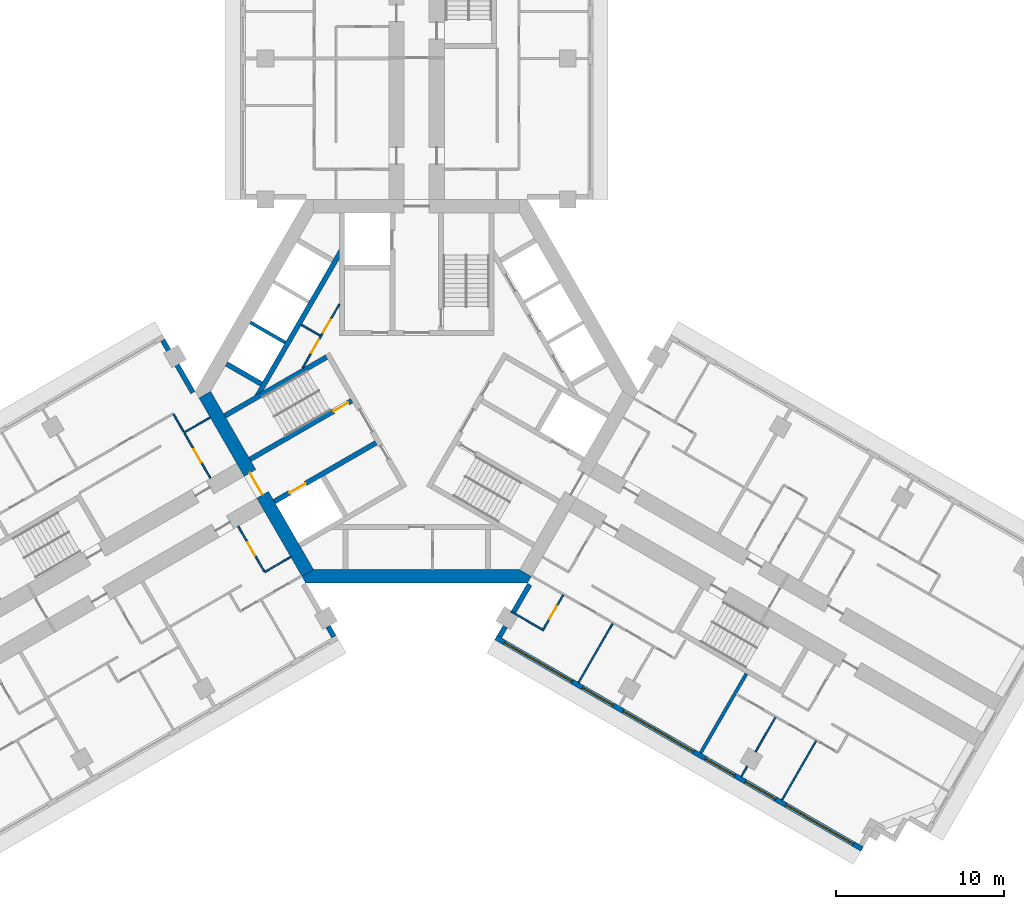
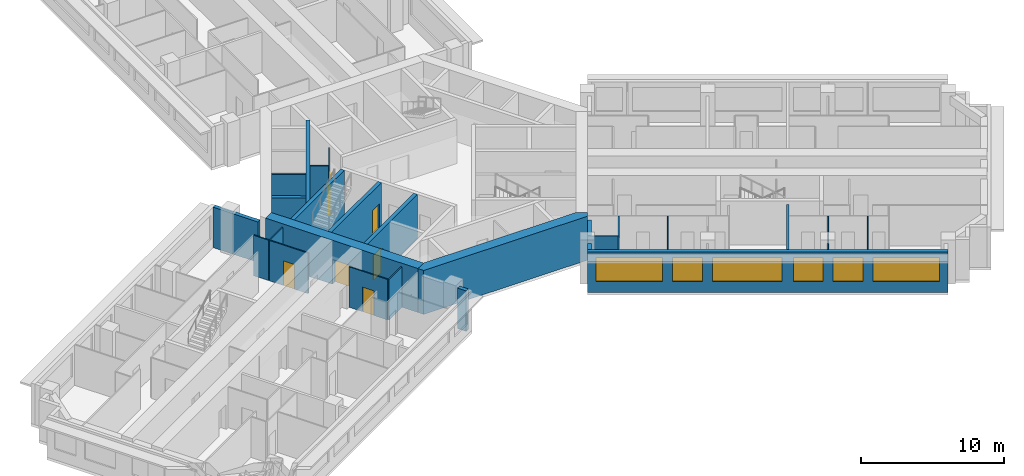
# One storey, part 4 of 12: 27 walls, 8 doors, 6 windows, 14 openings.
"""IFC4 building model written with IfcOpenShell, lengths in metres."""

from ifc_helpers import new_model, si_unit, direction, frame, frame_2d, origin, place, context, subcontext, project, spatial, polyline, rectangle, outline, extrude, material, layer, layer_set, type_object, element, fill, save


model = new_model("IFC4")

# Units and contexts
model_context = context("Model", 3, precision=1e-05, world=origin(), true_north=direction((0.0, 1.0)))
body_context = subcontext(model_context, "Body", "Model", "MODEL_VIEW")
ifc_project = project(units=[si_unit("LENGTHUNIT", "METRE"), si_unit("AREAUNIT", "SQUARE_METRE"), si_unit("VOLUMEUNIT", "CUBIC_METRE"), si_unit("PLANEANGLEUNIT", "RADIAN"), si_unit("MASSUNIT", "GRAM", prefix="KILO")], contexts=[model_context])

# Site, building, storey
site_placement = place(None, origin())
site = spatial("IfcSite", under=ifc_project, at=site_placement, CompositionType="ELEMENT")
building_placement = place(site_placement, origin())
building = spatial("IfcBuilding", under=site, at=building_placement, Name="Impinga Residences", CompositionType="ELEMENT")
storey_placement = place(building_placement, frame((0.0, 0.0, 177.25)))
storey = spatial("IfcBuildingStorey", under=building, at=storey_placement, Name="L44", CompositionType="ELEMENT", Elevation=177.25)

# Wall, openings, doors
ifc_material_1 = material(Name="Concrete blockwork", Category="masonry")
ifc_layer_1 = layer(ifc_material_1, 0.10009765625)
ifc_layer_set_1 = layer_set([ifc_layer_1], Name="CP1 core room partition, blockwork 100")
wall_type_1 = type_object("IfcWallType", Name="CP1 core room partition, blockwork 100", PredefinedType="PARTITIONING", material=ifc_layer_set_1)
wall_1_placement = place(storey_placement, frame((-6.799560546875, 1.385986328125, 0.0), z_axis=(0.0, 0.0, 1.0), x_axis=(0.500001098885, 0.866024769342, 0.0)))
wall_1 = element("IfcWall", 1, at=wall_1_placement, inside=storey, type_object=wall_type_1, Name="Core room partition, blockwork L44:CORE:high:FP", PredefinedType="PARTITIONING", context=body_context, shape_type="SweptSolid", body=[
    extrude(rectangle(XDim=4.39892578125, YDim=0.10009765625, at=frame_2d((2.199462890625, 0.0))), origin(), (0.0, 0.0, 1.0), 3.449951171875),
])
opening_1_placement = place(wall_1_placement, frame((1.049560546875, 0.0, 0.0)))
opening_1 = element("IfcOpeningElement", 2, at=opening_1_placement, cuts=wall_1, Name="Opening D6", PredefinedType="OPENING", context=body_context, shape_type="SweptSolid", body=[
    extrude(rectangle(XDim=0.89990234375, YDim=2.10009765625, at=frame_2d((0.449951171875, 1.050048828125))), frame((0.0, 0.06005859375, 0.0), z_axis=(0.0, -1.0, 0.0), x_axis=(1.0, 0.0, 0.0)), (0.0, 0.0, 1.0), 0.1201171875),
])
opening_2_placement = place(wall_1_placement, frame((2.449462890625, 0.0, 0.0)))
opening_2 = element("IfcOpeningElement", 3, at=opening_2_placement, cuts=wall_1, Name="Opening D6", PredefinedType="OPENING", context=body_context, shape_type="SweptSolid", body=[
    extrude(rectangle(XDim=0.89990234375, YDim=2.10009765625, at=frame_2d((0.449951171875, 1.050048828125))), frame((0.0, 0.06005859375, 0.0), z_axis=(0.0, -1.0, 0.0), x_axis=(1.0, 0.0, 0.0)), (0.0, 0.0, 1.0), 0.1201171875),
])
ifc_material_2 = material(Name="Timber door set", Category="wood")
door_type_1 = type_object("IfcDoorType", Name="D6 riser and store door 900x2100", OperationType="SINGLE_SWING_LEFT", PredefinedType="DOOR", material=ifc_material_2)
door_1_placement = place(opening_1_placement, origin())
door_1 = element("IfcDoor", 4, at=door_1_placement, inside=storey, type_object=door_type_1, Name="Cleaners' store door", OperationType="SINGLE_SWING_LEFT", OverallHeight=2.10009765625, OverallWidth=0.89990234375, PredefinedType="DOOR", context=body_context, shape_type="SweptSolid", body=[
    extrude(rectangle(XDim=0.89990234375, YDim=2.10009765625, at=frame_2d((0.449951171875, 1.050048828125))), frame((0.0, 0.02490234375, 0.0), z_axis=(0.0, -1.0, 0.0), x_axis=(1.0, 0.0, 0.0)), (0.0, 0.0, 1.0), 0.050048828125),
])
fill(opening_1, door_1)
door_2_placement = place(opening_2_placement, origin())
door_2 = element("IfcDoor", 5, at=door_2_placement, inside=storey, type_object=door_type_1, Name="Refuse room door", OperationType="SINGLE_SWING_RIGHT", OverallHeight=2.10009765625, OverallWidth=0.89990234375, PredefinedType="DOOR", context=body_context, shape_type="SweptSolid", body=[
    extrude(rectangle(XDim=0.89990234375, YDim=2.10009765625, at=frame_2d((0.449951171875, 1.050048828125))), frame((0.0, 0.02490234375, 0.0), z_axis=(0.0, -1.0, 0.0), x_axis=(1.0, 0.0, 0.0)), (0.0, 0.0, 1.0), 0.050048828125),
])
fill(opening_2, door_2)

# Walls
wall_2_placement = place(storey_placement, frame((-5.7431640625, 3.315673828125, 0.0), z_axis=(0.0, 0.0, 1.0), x_axis=(-0.86595725628, 0.500118016368, 0.0)))
element("IfcWall", 6, at=wall_2_placement, inside=storey, type_object=wall_type_1, Name="Core room partition, blockwork L44:CORE:high:FS", PredefinedType="PARTITIONING", context=body_context, shape_type="SweptSolid", body=[
    extrude(rectangle(XDim=1.300048828125, YDim=0.10009765625, at=frame_2d((0.64990234375, 0.0))), origin(), (0.0, 0.0, 1.0), 3.449951171875),
])
ifc_material_3 = material(Name="Terracotta rainscreen on blockwork", Category="masonry")
ifc_layer_2 = layer(ifc_material_3, 0.300048828125)
ifc_layer_set_2 = layer_set([ifc_layer_2], Name="EW1 external wall, terracotta rainscreen on blockwork 300")
wall_type_2 = type_object("IfcWallType", Name="EW1 external wall, terracotta rainscreen on blockwork 300", PredefinedType="SOLIDWALL", material=ifc_layer_set_2)
wall_3_placement = place(storey_placement, frame((-15.1298828125, 3.042724609375, 0.0), z_axis=(0.0, 0.0, 1.0), x_axis=(0.500012057535, -0.866018442252, 0.0)))
element("IfcWall", 7, at=wall_3_placement, inside=storey, type_object=wall_type_2, Name="External wall EW1 L44", PredefinedType="SOLIDWALL", context=body_context, shape_type="SweptSolid", body=[
    extrude(rectangle(XDim=3.60009765625, YDim=0.300048828125, at=frame_2d((1.800048828125, 0.0))), origin(), (0.0, 0.0, 1.0), 3.449951171875),
])

# Wall, openings, windows
wall_4_placement = place(storey_placement, frame((26.548828125, -27.279052734375, 0.0), z_axis=(0.0, 0.0, 1.0), x_axis=(-0.866026832479, 0.499997525421, 0.0)))
wall_4 = element("IfcWall", 8, at=wall_4_placement, inside=storey, type_object=wall_type_2, Name="External wall EW1 L44", PredefinedType="SOLIDWALL", context=body_context, shape_type="SweptSolid", body=[
    extrude(rectangle(XDim=25.199951171875, YDim=0.300048828125, at=frame_2d((12.60009765625, 0.0))), origin(), (0.0, 0.0, 1.0), 3.449951171875),
])
opening_3_placement = place(wall_4_placement, frame((0.60009765625, 0.0, 0.89990234375)))
opening_3 = element("IfcOpeningElement", 9, at=opening_3_placement, cuts=wall_4, Name="Opening W10", PredefinedType="OPENING", context=body_context, shape_type="SweptSolid", body=[
    extrude(rectangle(XDim=4.64990234375, YDim=2.050048828125, at=frame_2d((2.324951171875, 1.02490234375))), frame((0.0, 0.159912109375, 0.0), z_axis=(0.0, -1.0, 0.0), x_axis=(1.0, 0.0, 0.0)), (0.0, 0.0, 1.0), 0.320068359375),
])
opening_4_placement = place(wall_4_placement, frame((5.949951171875, 0.0, 0.89990234375)))
opening_4 = element("IfcOpeningElement", 10, at=opening_4_placement, cuts=wall_4, Name="Opening W9", PredefinedType="OPENING", context=body_context, shape_type="SweptSolid", body=[
    extrude(rectangle(XDim=2.10009765625, YDim=2.050048828125, at=frame_2d((1.050048828125, 1.02490234375))), frame((0.0, 0.159912109375, 0.0), z_axis=(0.0, -1.0, 0.0), x_axis=(1.0, 0.0, 0.0)), (0.0, 0.0, 1.0), 0.320068359375),
])
opening_5_placement = place(wall_4_placement, frame((8.75, 0.0, 0.89990234375)))
opening_5 = element("IfcOpeningElement", 11, at=opening_5_placement, cuts=wall_4, Name="Opening W14", PredefinedType="OPENING", context=body_context, shape_type="SweptSolid", body=[
    extrude(rectangle(XDim=2.050048828125, YDim=2.050048828125, at=frame_2d((1.02490234375, 1.02490234375))), frame((0.0, 0.159912109375, 0.0), z_axis=(0.0, -1.0, 0.0), x_axis=(1.0, 0.0, 0.0)), (0.0, 0.0, 1.0), 0.320068359375),
])
opening_6_placement = place(wall_4_placement, frame((11.60009765625, 0.0, 0.89990234375)))
opening_6 = element("IfcOpeningElement", 12, at=opening_6_placement, cuts=wall_4, Name="Opening W6", PredefinedType="OPENING", context=body_context, shape_type="SweptSolid", body=[
    extrude(rectangle(XDim=4.85009765625, YDim=2.050048828125, at=frame_2d((2.425048828125, 1.02490234375))), frame((0.0, 0.159912109375, 0.0), z_axis=(0.0, -1.0, 0.0), x_axis=(1.0, 0.0, 0.0)), (0.0, 0.0, 1.0), 0.320068359375),
])
opening_7_placement = place(wall_4_placement, frame((17.14990234375, 0.0, 0.89990234375)))
opening_7 = element("IfcOpeningElement", 13, at=opening_7_placement, cuts=wall_4, Name="Opening W9", PredefinedType="OPENING", context=body_context, shape_type="SweptSolid", body=[
    extrude(rectangle(XDim=2.10009765625, YDim=2.050048828125, at=frame_2d((1.050048828125, 1.02490234375))), frame((0.0, 0.159912109375, 0.0), z_axis=(0.0, -1.0, 0.0), x_axis=(1.0, 0.0, 0.0)), (0.0, 0.0, 1.0), 0.320068359375),
])
opening_8_placement = place(wall_4_placement, frame((19.949951171875, 0.0, 0.89990234375)))
opening_8 = element("IfcOpeningElement", 14, at=opening_8_placement, cuts=wall_4, Name="Opening W10", PredefinedType="OPENING", context=body_context, shape_type="SweptSolid", body=[
    extrude(rectangle(XDim=4.64990234375, YDim=2.050048828125, at=frame_2d((2.324951171875, 1.02490234375))), frame((0.0, 0.159912109375, 0.0), z_axis=(0.0, -1.0, 0.0), x_axis=(1.0, 0.0, 0.0)), (0.0, 0.0, 1.0), 0.320068359375),
])
ifc_material_4 = material(Name="Aluminium window, clear double glazing", Category="aluminium")
window_type_1 = type_object("IfcWindowType", Name="W10 ribbon window 4650x2050", PartitioningType="SINGLE_PANEL", PredefinedType="WINDOW", material=ifc_material_4)
window_1_placement = place(opening_3_placement, origin())
window_1 = element("IfcWindow", 15, at=window_1_placement, inside=storey, type_object=window_type_1, Name="Window L44", OverallHeight=2.050048828125, OverallWidth=4.64990234375, PartitioningType="SINGLE_PANEL", PredefinedType="WINDOW", context=body_context, shape_type="SweptSolid", body=[
    extrude(rectangle(XDim=4.64990234375, YDim=2.050048828125, at=frame_2d((2.324951171875, 1.02490234375))), frame((0.0, 0.030029296875, 0.0), z_axis=(0.0, -1.0, 0.0), x_axis=(1.0, 0.0, 0.0)), (0.0, 0.0, 1.0), 0.06005859375),
])
fill(opening_3, window_1)
window_2_placement = place(opening_8_placement, origin())
window_2 = element("IfcWindow", 16, at=window_2_placement, inside=storey, type_object=window_type_1, Name="Window L44", OverallHeight=2.050048828125, OverallWidth=4.64990234375, PartitioningType="SINGLE_PANEL", PredefinedType="WINDOW", context=body_context, shape_type="SweptSolid", body=[
    extrude(rectangle(XDim=4.64990234375, YDim=2.050048828125, at=frame_2d((2.324951171875, 1.02490234375))), frame((0.0, 0.030029296875, 0.0), z_axis=(0.0, -1.0, 0.0), x_axis=(1.0, 0.0, 0.0)), (0.0, 0.0, 1.0), 0.06005859375),
])
fill(opening_8, window_2)
window_type_2 = type_object("IfcWindowType", Name="W14 ribbon window 2050x2050", PartitioningType="SINGLE_PANEL", PredefinedType="WINDOW", material=ifc_material_4)
window_3_placement = place(opening_5_placement, origin())
window_3 = element("IfcWindow", 17, at=window_3_placement, inside=storey, type_object=window_type_2, Name="Window L44", OverallHeight=2.050048828125, OverallWidth=2.050048828125, PartitioningType="SINGLE_PANEL", PredefinedType="WINDOW", context=body_context, shape_type="SweptSolid", body=[
    extrude(rectangle(XDim=2.050048828125, YDim=2.050048828125, at=frame_2d((1.02490234375, 1.02490234375))), frame((0.0, 0.030029296875, 0.0), z_axis=(0.0, -1.0, 0.0), x_axis=(1.0, 0.0, 0.0)), (0.0, 0.0, 1.0), 0.06005859375),
])
fill(opening_5, window_3)
window_type_3 = type_object("IfcWindowType", Name="W6 ribbon window 4850x2050", PartitioningType="SINGLE_PANEL", PredefinedType="WINDOW", material=ifc_material_4)
window_4_placement = place(opening_6_placement, origin())
window_4 = element("IfcWindow", 18, at=window_4_placement, inside=storey, type_object=window_type_3, Name="Window L44", OverallHeight=2.050048828125, OverallWidth=4.85009765625, PartitioningType="SINGLE_PANEL", PredefinedType="WINDOW", context=body_context, shape_type="SweptSolid", body=[
    extrude(rectangle(XDim=4.85009765625, YDim=2.050048828125, at=frame_2d((2.425048828125, 1.02490234375))), frame((0.0, 0.030029296875, 0.0), z_axis=(0.0, -1.0, 0.0), x_axis=(1.0, 0.0, 0.0)), (0.0, 0.0, 1.0), 0.06005859375),
])
fill(opening_6, window_4)
window_type_4 = type_object("IfcWindowType", Name="W9 ribbon window 2100x2050", PartitioningType="SINGLE_PANEL", PredefinedType="WINDOW", material=ifc_material_4)
window_5_placement = place(opening_4_placement, origin())
window_5 = element("IfcWindow", 19, at=window_5_placement, inside=storey, type_object=window_type_4, Name="Window L44", OverallHeight=2.050048828125, OverallWidth=2.10009765625, PartitioningType="SINGLE_PANEL", PredefinedType="WINDOW", context=body_context, shape_type="SweptSolid", body=[
    extrude(rectangle(XDim=2.10009765625, YDim=2.050048828125, at=frame_2d((1.050048828125, 1.02490234375))), frame((0.0, 0.030029296875, 0.0), z_axis=(0.0, -1.0, 0.0), x_axis=(1.0, 0.0, 0.0)), (0.0, 0.0, 1.0), 0.06005859375),
])
fill(opening_4, window_5)
window_6_placement = place(opening_7_placement, origin())
window_6 = element("IfcWindow", 20, at=window_6_placement, inside=storey, type_object=window_type_4, Name="Window L44", OverallHeight=2.050048828125, OverallWidth=2.10009765625, PartitioningType="SINGLE_PANEL", PredefinedType="WINDOW", context=body_context, shape_type="SweptSolid", body=[
    extrude(rectangle(XDim=2.10009765625, YDim=2.050048828125, at=frame_2d((1.050048828125, 1.02490234375))), frame((0.0, 0.030029296875, 0.0), z_axis=(0.0, -1.0, 0.0), x_axis=(1.0, 0.0, 0.0)), (0.0, 0.0, 1.0), 0.06005859375),
])
fill(opening_7, window_6)

# Walls
wall_5_placement = place(storey_placement, frame((4.929931640625, -14.624267578125, 0.0), z_axis=(0.0, 0.0, 1.0), x_axis=(0.499853302173, 0.866110083249, 0.0)))
element("IfcWall", 21, at=wall_5_placement, inside=storey, type_object=wall_type_2, Name="External wall EW1 L44", PredefinedType="SOLIDWALL", context=body_context, shape_type="SweptSolid", body=[
    extrude(rectangle(XDim=0.699951171875, YDim=0.300048828125, at=frame_2d((0.35009765625, 0.0))), origin(), (0.0, 0.0, 1.0), 3.449951171875),
])
wall_6_placement = place(storey_placement, frame((5.77978515625, -13.152099609375, 0.0), z_axis=(0.0, 0.0, 1.0), x_axis=(0.500063520245, 0.865988727248, 0.0)))
element("IfcWall", 22, at=wall_6_placement, inside=storey, type_object=wall_type_2, Name="External wall EW1 L44", PredefinedType="SOLIDWALL", context=body_context, shape_type="SweptSolid", body=[
    extrude(rectangle(XDim=1.900146484375, YDim=0.300048828125, at=frame_2d((0.9501953125, 0.0))), origin(), (0.0, 0.0, 1.0), 3.449951171875),
])
wall_7_placement = place(storey_placement, frame((-5.27978515625, -14.01806640625, 0.0), z_axis=(0.0, 0.0, 1.0), x_axis=(0.499853302173, -0.866110083249, 0.0)))
element("IfcWall", 23, at=wall_7_placement, inside=storey, type_object=wall_type_2, Name="External wall EW1 L44", PredefinedType="SOLIDWALL", context=body_context, shape_type="SweptSolid", body=[
    extrude(rectangle(XDim=0.699951171875, YDim=0.300048828125, at=frame_2d((0.35009765625, 0.0))), origin(), (0.0, 0.0, 1.0), 3.449951171875),
])
ifc_material_5 = material(Name="Gypsum board on steel studs", Category="steel")
ifc_layer_3 = layer(ifc_material_5, 0.10009765625)
ifc_layer_set_3 = layer_set([ifc_layer_3], Name="Gypsum board on steel studs")
wall_type_3 = type_object("IfcWallType", Name="IP1 partition 100", PredefinedType="PARTITIONING", material=ifc_layer_set_3)
wall_8_placement = place(storey_placement, frame((-7.5, -9.872802734375, 0.0), z_axis=(0.0, 0.0, 1.0), x_axis=(-0.866047807691, -0.499961193289, 0.0)))
element("IfcWall", 24, at=wall_8_placement, inside=storey, type_object=wall_type_3, Name="Partition L44-WA1:DIV0", PredefinedType="PARTITIONING", context=body_context, shape_type="SweptSolid", body=[
    extrude(rectangle(XDim=1.800048828125, YDim=0.10009765625, at=frame_2d((0.89990234375, 0.0))), origin(), (0.0, 0.0, 1.0), 3.449951171875),
])

# Wall, opening, door
wall_9_placement = place(storey_placement, frame((-10.6337890625, -8.044677734375, 0.0), z_axis=(0.0, 0.0, 1.0), x_axis=(0.49999285859, -0.86602952684, 0.0)))
wall_9 = element("IfcWall", 25, at=wall_9_placement, inside=storey, type_object=wall_type_3, Name="Partition L44-WA1:IB1", PredefinedType="PARTITIONING", context=body_context, shape_type="SweptSolid", body=[
    extrude(rectangle(XDim=3.10009765625, YDim=0.10009765625, at=frame_2d((1.550048828125, 0.0))), origin(), (0.0, 0.0, 1.0), 3.449951171875),
])
opening_9_placement = place(wall_9_placement, frame((1.10009765625, 0.0, 0.0)))
opening_9 = element("IfcOpeningElement", 26, at=opening_9_placement, cuts=wall_9, Name="Opening D2", PredefinedType="OPENING", context=body_context, shape_type="SweptSolid", body=[
    extrude(rectangle(XDim=0.89990234375, YDim=2.10009765625, at=frame_2d((0.449951171875, 1.050048828125))), frame((0.0, 0.06005859375, 0.0), z_axis=(0.0, -1.0, 0.0), x_axis=(1.0, 0.0, 0.0)), (0.0, 0.0, 1.0), 0.1201171875),
])
door_type_2 = type_object("IfcDoorType", Name="D2 internal door 900x2100", OperationType="SINGLE_SWING_LEFT", PredefinedType="DOOR", material=ifc_material_2)
door_3_placement = place(opening_9_placement, origin())
door_3 = element("IfcDoor", 27, at=door_3_placement, inside=storey, type_object=door_type_2, Name="Apartment L44-WA1 bathroom door", OperationType="SINGLE_SWING_LEFT", OverallHeight=2.10009765625, OverallWidth=0.89990234375, PredefinedType="DOOR", context=body_context, shape_type="SweptSolid", body=[
    extrude(rectangle(XDim=0.89990234375, YDim=2.10009765625, at=frame_2d((0.449951171875, 1.050048828125))), frame((0.0, 0.02490234375, 0.0), z_axis=(0.0, -1.0, 0.0), x_axis=(1.0, 0.0, 0.0)), (0.0, 0.0, 1.0), 0.050048828125),
])
fill(opening_9, door_3)

# Walls
wall_10_placement = place(storey_placement, frame((-12.300048828125, -1.558837890625, 0.0), z_axis=(0.0, 0.0, 1.0), x_axis=(-0.866047807691, -0.499961193289, 0.0)))
element("IfcWall", 28, at=wall_10_placement, inside=storey, type_object=wall_type_3, Name="Partition L44-WF1:DIV0", PredefinedType="PARTITIONING", context=body_context, shape_type="SweptSolid", body=[
    extrude(rectangle(XDim=1.800048828125, YDim=0.10009765625, at=frame_2d((0.89990234375, 0.0))), origin(), (0.0, 0.0, 1.0), 3.449951171875),
])
wall_11_placement = place(storey_placement, frame((-13.8837890625, -2.41552734375, 0.0), z_axis=(0.0, 0.0, 1.0), x_axis=(-0.500033551112, 0.866006032174, 0.0)))
element("IfcWall", 29, at=wall_11_placement, inside=storey, type_object=wall_type_3, Name="Partition L44-WF1:SE0", PredefinedType="PARTITIONING", context=body_context, shape_type="SweptSolid", body=[
    extrude(rectangle(XDim=1.2001953125, YDim=0.10009765625, at=frame_2d((0.60009765625, 0.0))), origin(), (0.0, 0.0, 1.0), 3.449951171875),
])

# Wall, opening, door
wall_12_placement = place(storey_placement, frame((-12.283935546875, -5.186767578125, 0.0), z_axis=(0.0, 0.0, 1.0), x_axis=(-0.499967891604, 0.866043940782, 0.0)))
wall_12 = element("IfcWall", 30, at=wall_12_placement, inside=storey, type_object=wall_type_3, Name="Partition L44-WF1:IB1", PredefinedType="PARTITIONING", context=body_context, shape_type="SweptSolid", body=[
    extrude(rectangle(XDim=3.099853515625, YDim=0.10009765625, at=frame_2d((1.5498046875, 0.0))), origin(), (0.0, 0.0, 1.0), 3.449951171875),
])
opening_10_placement = place(wall_12_placement, frame((1.10009765625, 0.0, 0.0)))
opening_10 = element("IfcOpeningElement", 31, at=opening_10_placement, cuts=wall_12, Name="Opening D2", PredefinedType="OPENING", context=body_context, shape_type="SweptSolid", body=[
    extrude(rectangle(XDim=0.89990234375, YDim=2.10009765625, at=frame_2d((0.449951171875, 1.050048828125))), frame((0.0, 0.06005859375, 0.0), z_axis=(0.0, -1.0, 0.0), x_axis=(1.0, 0.0, 0.0)), (0.0, 0.0, 1.0), 0.1201171875),
])
door_4_placement = place(opening_10_placement, origin())
door_4 = element("IfcDoor", 32, at=door_4_placement, inside=storey, type_object=door_type_2, Name="Apartment L44-WF1 bathroom door", OperationType="SINGLE_SWING_LEFT", OverallHeight=2.10009765625, OverallWidth=0.89990234375, PredefinedType="DOOR", context=body_context, shape_type="SweptSolid", body=[
    extrude(rectangle(XDim=0.89990234375, YDim=2.10009765625, at=frame_2d((0.449951171875, 1.050048828125))), frame((0.0, 0.02490234375, 0.0), z_axis=(0.0, -1.0, 0.0), x_axis=(1.0, 0.0, 0.0)), (0.0, 0.0, 1.0), 0.050048828125),
])
fill(opening_10, door_4)

# Wall
wall_13_placement = place(storey_placement, frame((11.6748046875, -13.841796875, 0.0), z_axis=(0.0, 0.0, 1.0), x_axis=(-0.500035537042, -0.866004885491, 0.0)))
element("IfcWall", 33, at=wall_13_placement, inside=storey, type_object=wall_type_3, Name="Partition L44-EF1:OB1", PredefinedType="PARTITIONING", context=body_context, shape_type="SweptSolid", body=[
    extrude(rectangle(XDim=4.050048828125, YDim=0.10009765625, at=frame_2d((2.02490234375, 0.0))), origin(), (0.0, 0.0, 1.0), 3.449951171875),
])

# Wall, opening, door
wall_14_placement = place(storey_placement, frame((8.730224609375, -12.141845703125, 0.0), z_axis=(0.0, 0.0, 1.0), x_axis=(-0.499943856944, -0.866057815567, 0.0)))
wall_14 = element("IfcWall", 34, at=wall_14_placement, inside=storey, type_object=wall_type_3, Name="Partition L44-EF1:EN1", PredefinedType="PARTITIONING", context=body_context, shape_type="SweptSolid", body=[
    extrude(rectangle(XDim=2.449951171875, YDim=0.10009765625, at=frame_2d((1.22509765625, 0.0))), origin(), (0.0, 0.0, 1.0), 3.449951171875),
])
opening_11_placement = place(wall_14_placement, frame((0.75, 0.0, 0.0)))
opening_11 = element("IfcOpeningElement", 35, at=opening_11_placement, cuts=wall_14, Name="Opening D2", PredefinedType="OPENING", context=body_context, shape_type="SweptSolid", body=[
    extrude(rectangle(XDim=0.89990234375, YDim=2.10009765625, at=frame_2d((0.449951171875, 1.050048828125))), frame((0.0, 0.06005859375, 0.0), z_axis=(0.0, -1.0, 0.0), x_axis=(1.0, 0.0, 0.0)), (0.0, 0.0, 1.0), 0.1201171875),
])
door_5_placement = place(opening_11_placement, origin())
door_5 = element("IfcDoor", 36, at=door_5_placement, inside=storey, type_object=door_type_2, Name="Apartment L44-EF1 en-suite door", OperationType="SINGLE_SWING_LEFT", OverallHeight=2.10009765625, OverallWidth=0.89990234375, PredefinedType="DOOR", context=body_context, shape_type="SweptSolid", body=[
    extrude(rectangle(XDim=0.89990234375, YDim=2.10009765625, at=frame_2d((0.449951171875, 1.050048828125))), frame((0.0, 0.02490234375, 0.0), z_axis=(0.0, -1.0, 0.0), x_axis=(1.0, 0.0, 0.0)), (0.0, 0.0, 1.0), 0.050048828125),
])
fill(opening_11, door_5)

# Walls
wall_15_placement = place(storey_placement, frame((5.625, -13.120361328125, 0.0), z_axis=(0.0, 0.0, 1.0), x_axis=(0.866047553582, -0.499961633463, 0.0)))
element("IfcWall", 37, at=wall_15_placement, inside=storey, type_object=wall_type_3, Name="Partition L44-EF1:EN2", PredefinedType="PARTITIONING", context=body_context, shape_type="SweptSolid", body=[
    extrude(rectangle(XDim=2.150146484375, YDim=0.10009765625, at=frame_2d((1.0751953125, 0.0))), origin(), (0.0, 0.0, 1.0), 3.449951171875),
])
wall_16_placement = place(storey_placement, frame((21.374267578125, -19.44189453125, 0.0), z_axis=(0.0, 0.0, 1.0), x_axis=(-0.500016218704, -0.866016039709, 0.0)))
element("IfcWall", 38, at=wall_16_placement, inside=storey, type_object=wall_type_3, Name="Partition L44-EF2:OB1", PredefinedType="PARTITIONING", context=body_context, shape_type="SweptSolid", body=[
    extrude(rectangle(XDim=2.35009765625, YDim=0.10009765625, at=frame_2d((1.175048828125, 0.0))), origin(), (0.0, 0.0, 1.0), 3.449951171875),
])
wall_17_placement = place(storey_placement, frame((19.69921875, -22.343017578125, 0.0), z_axis=(0.0, 0.0, 1.0), x_axis=(-0.500114896893, -0.865959057869, 0.0)))
element("IfcWall", 39, at=wall_17_placement, inside=storey, type_object=wall_type_3, Name="Partition L44-EF2:OB1b", PredefinedType="PARTITIONING", context=body_context, shape_type="SweptSolid", body=[
    extrude(rectangle(XDim=0.699951171875, YDim=0.10009765625, at=frame_2d((0.35009765625, 0.0))), origin(), (0.0, 0.0, 1.0), 3.449951171875),
])
wall_18_placement = place(storey_placement, frame((23.799072265625, -20.841796875, 0.0), z_axis=(0.0, 0.0, 1.0), x_axis=(-0.499990325971, -0.866030989016, 0.0)))
element("IfcWall", 40, at=wall_18_placement, inside=storey, type_object=wall_type_3, Name="Partition L44-EF2:OB2", PredefinedType="PARTITIONING", context=body_context, shape_type="SweptSolid", body=[
    extrude(rectangle(XDim=4.0498046875, YDim=0.10009765625, at=frame_2d((2.02490234375, 0.0))), origin(), (0.0, 0.0, 1.0), 3.449951171875),
])
ifc_layer_4 = layer(ifc_material_1, 0.199951171875)
ifc_layer_set_4 = layer_set([ifc_layer_4], Name="PW1 party wall between apartments 200")
wall_type_4 = type_object("IfcWallType", Name="PW1 party wall between apartments 200", PredefinedType="SOLIDWALL", material=ifc_layer_set_4)
wall_19_placement = place(storey_placement, frame((19.6494140625, -16.829345703125, 0.0), z_axis=(0.0, 0.0, 1.0), x_axis=(-0.500002931134, -0.866023711487, 0.0)))
element("IfcWall", 41, at=wall_19_placement, inside=storey, type_object=wall_type_4, Name="Party wall between apartments L44-EF1:PARTY", PredefinedType="SOLIDWALL", context=body_context, shape_type="SweptSolid", body=[
    extrude(rectangle(XDim=5.4501953125, YDim=0.199951171875, at=frame_2d((2.72509765625, 0.0))), origin(), (0.0, 0.0, 1.0), 3.449951171875),
])

# Wall, opening, door
ifc_material_6 = material(Name="Concrete C60/75", Category="concrete")
ifc_layer_5 = layer(ifc_material_6, 0.800048828125)
ifc_layer_set_5 = layer_set([ifc_layer_5], Name="Concrete C60/75")
wall_type_5 = type_object("IfcWallType", Name="SW2 core wall 800", PredefinedType="SHEAR", material=ifc_layer_set_5)
wall_20_placement = place(storey_placement, frame((-6.484619140625, -10.83154296875, 0.0), z_axis=(0.0, 0.0, 1.0), x_axis=(-0.499986991068, 0.866032914365, 0.0)))
wall_20 = element("IfcWall", 42, at=wall_20_placement, inside=storey, type_object=wall_type_5, Name="Core wall SW2 W:FACE L44", PredefinedType="SHEAR", context=body_context, shape_type="SweptSolid", body=[
    extrude(rectangle(XDim=12.276123046875, YDim=0.800048828125, at=frame_2d((6.13818359375, 0.0))), origin(), (0.0, 0.0, 1.0), 3.75),
])
opening_12_placement = place(wall_20_placement, frame((5.38818359375, 0.0, 0.0)))
opening_12 = element("IfcOpeningElement", 43, at=opening_12_placement, cuts=wall_20, Name="Opening D4", PredefinedType="OPENING", context=body_context, shape_type="SweptSolid", body=[
    extrude(rectangle(XDim=1.5, YDim=2.10009765625, at=frame_2d((0.75, 1.050048828125))), frame((0.0, 0.409912109375, 0.0), z_axis=(0.0, -1.0, 0.0), x_axis=(1.0, 0.0, 0.0)), (0.0, 0.0, 1.0), 0.820068359375),
])
door_type_3 = type_object("IfcDoorType", Name="D4 lobby door pair 1500x2100", OperationType="DOUBLE_DOOR_DOUBLE_SWING", PredefinedType="DOOR", material=ifc_material_2)
door_6_placement = place(opening_12_placement, origin())
door_6 = element("IfcDoor", 44, at=door_6_placement, inside=storey, type_object=door_type_3, Name="Lobby door W", OperationType="DOUBLE_DOOR_DOUBLE_SWING", OverallHeight=2.10009765625, OverallWidth=1.5, PredefinedType="DOOR", context=body_context, shape_type="SweptSolid", body=[
    extrude(rectangle(XDim=1.5, YDim=2.10009765625, at=frame_2d((0.75, 1.050048828125))), frame((0.0, 0.02490234375, 0.0), z_axis=(0.0, -1.0, 0.0), x_axis=(1.0, 0.0, 0.0)), (0.0, 0.0, 1.0), 0.050048828125),
])
fill(opening_12, door_6)

# Wall
wall_21_placement = place(storey_placement, origin())
element("IfcWall", 45, at=wall_21_placement, inside=storey, type_object=wall_type_5, Name="Core wall SW2 N:EXPOSED L44", PredefinedType="SHEAR", context=body_context, shape_type="SweptSolid", body=[
    extrude(outline(polyline([(-6.60009765625, -11.431640625), (6.60009765625, -11.431640625), (6.8310546875, -11.031494140625), (6.13818359375, -10.631591796875), (-6.13818359375, -10.631591796875), (-6.8310546875, -11.031494140625), (-6.60009765625, -11.431640625)])), origin(), (0.0, 0.0, 1.0), 3.75),
])

# Wall, opening, door
ifc_material_7 = material(Name="Concrete C70/85", Category="concrete")
ifc_layer_6 = layer(ifc_material_7, 0.300048828125)
ifc_layer_set_6 = layer_set([ifc_layer_6], Name="Concrete C70/85")
wall_type_6 = type_object("IfcWallType", Name="SW5 core inner wall, stairs, shafts and lobbies 300", PredefinedType="SHEAR", material=ifc_layer_set_6)
wall_22_placement = place(storey_placement, frame((-3.86865234375, -0.559326171875, 0.0), z_axis=(0.0, 0.0, 1.0), x_axis=(-0.866026480128, -0.499998135713, 0.0)))
wall_22 = element("IfcWall", 46, at=wall_22_placement, inside=storey, type_object=wall_type_6, Name="Core wall SW5 W:ST-IN L44", PredefinedType="SHEAR", context=body_context, shape_type="SweptSolid", body=[
    extrude(rectangle(XDim=7.00146484375, YDim=0.300048828125, at=frame_2d((3.500732421875, 0.0))), origin(), (0.0, 0.0, 1.0), 3.75),
])
opening_13_placement = place(wall_22_placement, frame((0.25, 0.0, 0.0)))
opening_13 = element("IfcOpeningElement", 47, at=opening_13_placement, cuts=wall_22, Name="Opening D5", PredefinedType="OPENING", context=body_context, shape_type="SweptSolid", body=[
    extrude(rectangle(XDim=1.0, YDim=2.10009765625, at=frame_2d((0.5, 1.050048828125))), frame((0.0, 0.159912109375, 0.0), z_axis=(0.0, -1.0, 0.0), x_axis=(1.0, 0.0, 0.0)), (0.0, 0.0, 1.0), 0.320068359375),
])
door_type_4 = type_object("IfcDoorType", Name="D5 stair door 1000x2100", OperationType="SINGLE_SWING_LEFT", PredefinedType="DOOR", material=ifc_material_2)
door_7_placement = place(opening_13_placement, origin())
door_7 = element("IfcDoor", 48, at=door_7_placement, inside=storey, type_object=door_type_4, Name="Stair door W", OperationType="SINGLE_SWING_LEFT", OverallHeight=2.10009765625, OverallWidth=1.0, PredefinedType="DOOR", context=body_context, shape_type="SweptSolid", body=[
    extrude(rectangle(XDim=1.0, YDim=2.10009765625, at=frame_2d((0.5, 1.050048828125))), frame((0.0, 0.02490234375, 0.0), z_axis=(0.0, -1.0, 0.0), x_axis=(1.0, 0.0, 0.0)), (0.0, 0.0, 1.0), 0.050048828125),
])
fill(opening_13, door_7)

# Wall
wall_23_placement = place(storey_placement, frame((-5.36865234375, 2.038818359375, 0.0), z_axis=(0.0, 0.0, 1.0), x_axis=(-0.866026480128, -0.499998135713, 0.0)))
element("IfcWall", 49, at=wall_23_placement, inside=storey, type_object=wall_type_6, Name="Core wall SW5 W:ST-OUT L44", PredefinedType="SHEAR", context=body_context, shape_type="SweptSolid", body=[
    extrude(rectangle(XDim=7.00146484375, YDim=0.300048828125, at=frame_2d((3.500732421875, 0.0))), origin(), (0.0, 0.0, 1.0), 3.75),
])

# Wall, opening, door
wall_24_placement = place(storey_placement, frame((-2.418701171875, -3.07080078125, 0.0), z_axis=(0.0, 0.0, 1.0), x_axis=(-0.866026480128, -0.499998135713, 0.0)))
wall_24 = element("IfcWall", 50, at=wall_24_placement, inside=storey, type_object=wall_type_6, Name="Core wall SW5 W:FF-IN L44", PredefinedType="SHEAR", context=body_context, shape_type="SweptSolid", body=[
    extrude(rectangle(XDim=7.00146484375, YDim=0.300048828125, at=frame_2d((3.500732421875, 0.0))), origin(), (0.0, 0.0, 1.0), 3.75),
])
opening_14_placement = place(wall_24_placement, frame((4.85009765625, 0.0, 0.0)))
opening_14 = element("IfcOpeningElement", 51, at=opening_14_placement, cuts=wall_24, Name="Opening LD2", PredefinedType="OPENING", context=body_context, shape_type="SweptSolid", body=[
    extrude(rectangle(XDim=1.10009765625, YDim=2.10009765625, at=frame_2d((0.550048828125, 1.050048828125))), frame((0.0, 0.159912109375, 0.0), z_axis=(0.0, -1.0, 0.0), x_axis=(1.0, 0.0, 0.0)), (0.0, 0.0, 1.0), 0.320068359375),
])
ifc_material_8 = material(Name="Steel lift landing door", Category="steel")
door_type_5 = type_object("IfcDoorType", Name="LD2 firefighting lift landing door 1100x2100", OperationType="DOUBLE_DOOR_SLIDING", PredefinedType="DOOR", material=ifc_material_8)
door_8_placement = place(opening_14_placement, origin())
door_8 = element("IfcDoor", 52, at=door_8_placement, inside=storey, type_object=door_type_5, Name="Firefighting lift landing door F2", OperationType="DOUBLE_DOOR_SLIDING", OverallHeight=2.10009765625, OverallWidth=1.10009765625, PredefinedType="DOOR", context=body_context, shape_type="SweptSolid", body=[
    extrude(rectangle(XDim=1.10009765625, YDim=2.10009765625, at=frame_2d((0.550048828125, 1.050048828125))), frame((0.0, 0.02490234375, 0.0), z_axis=(0.0, -1.0, 0.0), x_axis=(1.0, 0.0, 0.0)), (0.0, 0.0, 1.0), 0.050048828125),
])
fill(opening_14, door_8)

# Walls
wall_25_placement = place(storey_placement, frame((-9.547607421875, -0.3740234375, 0.0), z_axis=(0.0, 0.0, 1.0), x_axis=(0.500002290144, 0.866024081565, 0.0)))
element("IfcWall", 53, at=wall_25_placement, inside=storey, type_object=wall_type_6, Name="Core wall SW5 E:BANK-FRONT L44", PredefinedType="SHEAR", context=body_context, shape_type="SweptSolid", body=[
    extrude(rectangle(XDim=10.1953125, YDim=0.300048828125, at=frame_2d((5.09765625, 0.0))), origin(), (0.0, 0.0, 1.0), 3.75),
])
wall_26_placement = place(storey_placement, frame((-9.253662109375, 0.43505859375, 0.0), z_axis=(0.0, 0.0, 1.0), x_axis=(-0.866006032174, 0.500033551112, 0.0)))
element("IfcWall", 54, at=wall_26_placement, inside=storey, type_object=wall_type_6, Name="Core wall SW5 E:BANK-L L44", PredefinedType="SHEAR", context=body_context, shape_type="SweptSolid", body=[
    extrude(rectangle(XDim=2.400146484375, YDim=0.300048828125, at=frame_2d((1.2001953125, 0.0))), origin(), (0.0, 0.0, 1.0), 3.75),
])
ifc_layer_7 = layer(ifc_material_7, 0.199951171875)
ifc_layer_set_7 = layer_set([ifc_layer_7], Name="Concrete C70/85")
wall_type_7 = type_object("IfcWallType", Name="SW6 lift shaft divider wall 200", PredefinedType="SHEAR", material=ifc_layer_set_7)
wall_27_placement = place(storey_placement, frame((-7.82861328125, 2.9033203125, 0.0), z_axis=(0.0, 0.0, 1.0), x_axis=(-0.866050077142, 0.499957262057, 0.0)))
element("IfcWall", 55, at=wall_27_placement, inside=storey, type_object=wall_type_7, Name="Core wall SW6 E:BANK-D1 L44", PredefinedType="SHEAR", context=body_context, shape_type="SweptSolid", body=[
    extrude(rectangle(XDim=2.400146484375, YDim=0.199951171875, at=frame_2d((1.2001953125, 0.0))), origin(), (0.0, 0.0, 1.0), 3.75),
])

save(model, "model.ifc")
